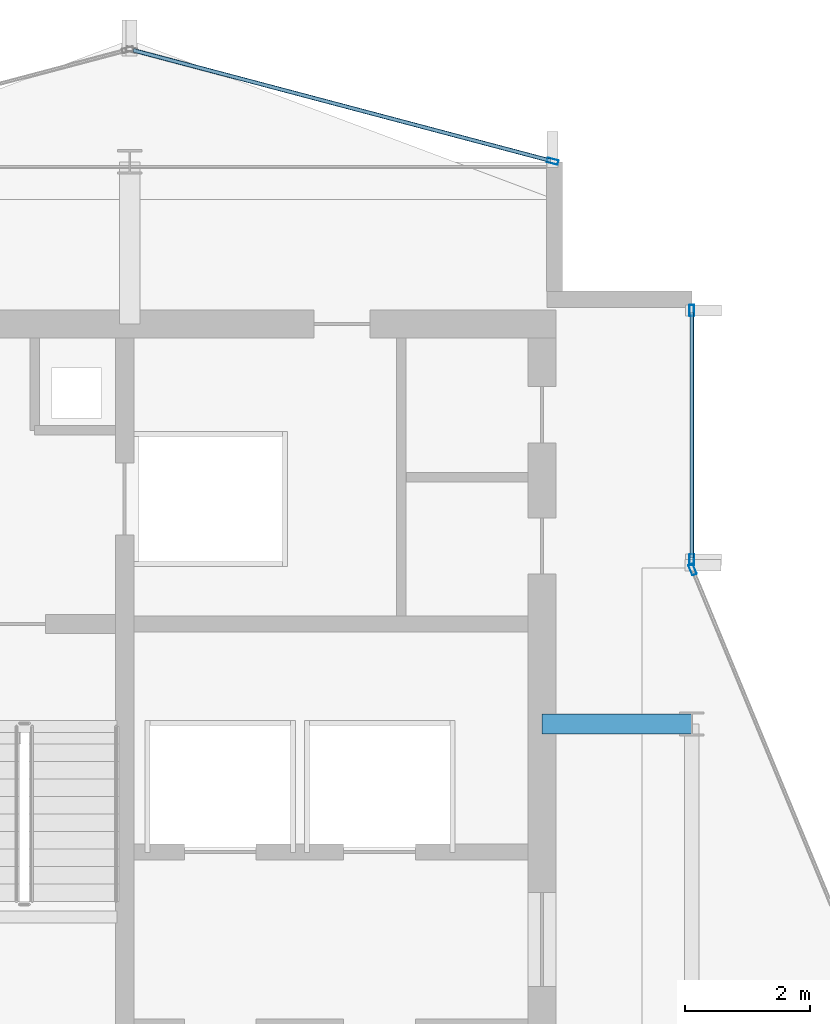
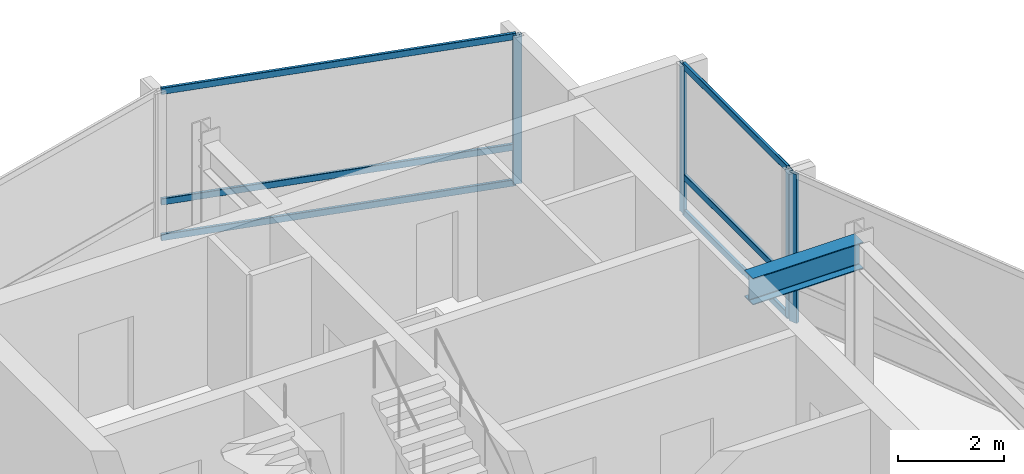
# One storey, part 12 of 19: 10 members, 1 beam, 3 elements without a shape of their own.
"""IFC4 building model written with IfcOpenShell, lengths in metres."""

import ifcopenshell
import ifcopenshell.guid

model = None  # the IFC model being written
_history = None  # IfcOwnerHistory: only IFC2X3 demands one
_inside = {}  # id of a spatial element -> (the spatial element, [elements in it])
_under = {}  # id of a project, library or spatial element -> (it, [spatial elements below it])
_declared = {}  # id of a project -> (the project, [libraries it declares])
_typed = {}  # id of a type object -> (the type object, [elements of that type])
_made_of = {}  # id of a material, layer set ... -> (it, [elements and type objects made of it])


def new_model(schema):
    """Start an empty IFC model of exactly this schema.

    Asked for "IFC4X3", IfcOpenShell would pick the latest addendum, in which some entities
    have other attributes; the version numbers below select the first issue.
    IFC2X3 requires an IfcOwnerHistory on every rooted entity: one is made here for all.
    """
    global model, _history
    if schema == "IFC4X3":
        model = ifcopenshell.file(schema_version=(4, 3, 0, 0))
    else:
        model = ifcopenshell.file(schema=schema)
    _inside.clear()
    _under.clear()
    _declared.clear()
    _typed.clear()
    _made_of.clear()
    _history = None
    if model.schema == "IFC2X3":
        org = make("IfcOrganization", Name="unknown")
        user = make(
            "IfcPersonAndOrganization",
            ThePerson=make("IfcPerson", FamilyName="unknown"),
            TheOrganization=org,
        )
        app = make(
            "IfcApplication",
            ApplicationDeveloper=org,
            Version="unknown",
            ApplicationFullName="unknown",
            ApplicationIdentifier="unknown",
        )
        _history = make(
            "IfcOwnerHistory",
            OwningUser=user,
            OwningApplication=app,
            ChangeAction="ADDED",
            CreationDate=0,
        )
    return model


def make(cls, **values):
    """One entity of the class cls with the attributes given. An attribute that is None is left unset."""
    return model.create_entity(
        cls, **{name: value for name, value in values.items() if value is not None}
    )


def rooted(cls, **values):
    """An entity with a GlobalId (a new one), such as an element, a storey or a relation."""
    return make(cls, GlobalId=ifcopenshell.guid.new(), OwnerHistory=_history, **values)


def si_unit(unit_type, name, prefix=None):
    """IfcSIUnit, for example si_unit("LENGTHUNIT", "METRE", prefix="MILLI")."""
    return make("IfcSIUnit", UnitType=unit_type, Prefix=prefix, Name=name)


def assignment(units):
    """IfcUnitAssignment: the units of a project."""
    return None if units is None else make("IfcUnitAssignment", Units=units)


def point(xyz):
    """IfcCartesianPoint."""
    return None if xyz is None else make("IfcCartesianPoint", Coordinates=xyz)


def direction(xyz):
    """IfcDirection."""
    return None if xyz is None else make("IfcDirection", DirectionRatios=xyz)


def frame(location, z_axis=None, x_axis=None):
    """IfcAxis2Placement3D, a coordinate frame: its origin and axes. An axis left out is left unset."""
    return make(
        "IfcAxis2Placement3D",
        Location=point(location),
        Axis=direction(z_axis),
        RefDirection=direction(x_axis),
    )


def frame_2d(location, x_axis=None):
    """IfcAxis2Placement2D, a coordinate frame in the plane: its origin and x axis."""
    return make(
        "IfcAxis2Placement2D", Location=point(location), RefDirection=direction(x_axis)
    )


def origin():
    """The frame at (0, 0, 0) with its axes left unset."""
    return frame((0.0, 0.0, 0.0))


def origin_2d():
    """The frame at (0, 0) in the plane with its x axis left unset."""
    return frame_2d((0.0, 0.0))


def place(relative_to, where):
    """IfcLocalPlacement: puts the frame where relative to a parent placement (None: the world)."""
    return make(
        "IfcLocalPlacement", PlacementRelTo=relative_to, RelativePlacement=where
    )


def context(
    kind, dimensions, precision=None, world=None, true_north=None, identifier=None
):
    """IfcGeometricRepresentationContext, for example the 3D "Model" context."""
    return make(
        "IfcGeometricRepresentationContext",
        ContextIdentifier=identifier,
        ContextType=kind,
        CoordinateSpaceDimension=dimensions,
        Precision=precision,
        WorldCoordinateSystem=world,
        TrueNorth=true_north,
    )


def subcontext(parent, identifier, kind, view, scale=None):
    """IfcGeometricRepresentationSubContext, for example "Body" below "Model"."""
    return make(
        "IfcGeometricRepresentationSubContext",
        ContextIdentifier=identifier,
        ContextType=kind,
        ParentContext=parent,
        TargetScale=scale,
        TargetView=view,
    )


def project(units=None, contexts=None):
    """IfcProject with its units and contexts."""
    return rooted(
        "IfcProject",
        Name="project",
        RepresentationContexts=contexts,
        UnitsInContext=assignment(units),
    )


def spatial(cls, under=None, at=None, **own):
    """A site, building, storey or space (cls), placed at a placement, below another one or the project."""
    s = rooted(cls, ObjectPlacement=at, **own)
    if under is not None:
        _under.setdefault(under.id(), (under, []))[1].append(s)
    return s


def profile(cls, at=None, kind="AREA", **sizes):
    """A parametric profile (cls). Its sizes go by their IFC names, for example OverallWidth=200.0."""
    return make(cls, ProfileType=kind, Position=at, **sizes)


def hollow_rectangle(**sizes):
    """IfcRectangleHollowProfileDef."""
    return profile("IfcRectangleHollowProfileDef", **sizes)


def i_section(**sizes):
    """IfcIShapeProfileDef."""
    return profile("IfcIShapeProfileDef", **sizes)


def extrude(swept, where, along, depth):
    """IfcExtrudedAreaSolid: the profile swept, set in the frame where, extruded along a direction by depth."""
    return make(
        "IfcExtrudedAreaSolid",
        SweptArea=swept,
        Position=where,
        ExtrudedDirection=direction(along),
        Depth=depth,
    )


def shape(context_of_items, identifier, shape_type, items):
    """IfcShapeRepresentation: the items that make up one representation, for example the "Body"."""
    return make(
        "IfcShapeRepresentation",
        ContextOfItems=context_of_items,
        RepresentationIdentifier=identifier,
        RepresentationType=shape_type,
        Items=items,
    )


def material(Name=None, Category=None):
    """IfcMaterial."""
    return make("IfcMaterial", Name=Name, Category=Category)


def layer(
    of_material, thickness, ventilated=None, Name=None, Category=None, Priority=None
):
    """IfcMaterialLayer: one layer of a wall or slab, of a material (None: an air gap)."""
    return make(
        "IfcMaterialLayer",
        Material=of_material,
        LayerThickness=thickness,
        IsVentilated=ventilated,
        Name=Name,
        Category=Category,
        Priority=Priority,
    )


def layer_set(layers, Name=None):
    """IfcMaterialLayerSet."""
    return make("IfcMaterialLayerSet", MaterialLayers=layers, LayerSetName=Name)


def material_profile(
    of_material, cross_section, Name=None, Category=None, Priority=None
):
    """IfcMaterialProfile: a cross section and its material."""
    return make(
        "IfcMaterialProfile",
        Name=Name,
        Material=of_material,
        Profile=cross_section,
        Priority=Priority,
        Category=Category,
    )


def profile_set(profiles, Name=None, composite=None):
    """IfcMaterialProfileSet."""
    return make(
        "IfcMaterialProfileSet",
        Name=Name,
        MaterialProfiles=profiles,
        CompositeProfile=composite,
    )


def made_of(thing, what):
    """Note that an element or type object is made of a material, layer set ...; save() writes the relation."""
    if what is not None:
        _made_of.setdefault(what.id(), (what, []))[1].append(thing)
    return thing


def type_object(cls, material=None, **own):
    """A type object (cls), such as IfcWallType, which elements share."""
    return made_of(rooted(cls, **own), material)


def element(
    cls,
    number,
    at=None,
    inside=None,
    cuts=None,
    type_object=None,
    material=None,
    context=None,
    identifier="Body",
    shape_type=None,
    held_by="IfcProductDefinitionShape",
    body=None,
    shapes=None,
    **own,
):
    """One element of the class cls, such as IfcWall. Its Tag is "e" and its number.

    at: its placement. inside: the storey or other place that contains it. cuts: it is an
    opening in that element (IfcRelVoidsElement). A single representation is given by context,
    identifier, shape_type and body (its items); several are given by shapes. held_by: the class
    of the entity that holds the representations. save() writes the other relations.
    """
    e = rooted(cls, Tag="e%d" % number, ObjectPlacement=at, **own)
    if body is not None:
        shapes = [shape(context, identifier, shape_type, body)]
    if shapes is not None:
        e.Representation = make(held_by, Representations=shapes)
    if inside is not None:
        _inside.setdefault(inside.id(), (inside, []))[1].append(e)
    if cuts is not None:
        rooted(
            "IfcRelVoidsElement", RelatingBuildingElement=cuts, RelatedOpeningElement=e
        )
    if type_object is not None:
        _typed.setdefault(type_object.id(), (type_object, []))[1].append(e)
    return made_of(e, material)


def aggregate(whole, parts):
    """IfcRelAggregates: a whole, such as a stair, and the parts it consists of."""
    return rooted("IfcRelAggregates", RelatingObject=whole, RelatedObjects=parts)


def save(model, path):
    """Write the relations noted so far, then the file.

    IfcRelAggregates (storeys below a building ...), IfcRelContainedInSpatialStructure (elements
    in a storey), IfcRelDefinesByType, IfcRelAssociatesMaterial and IfcRelDeclares: one each for
    every whole, place, type object, material and project.
    """
    for whole, parts in _under.values():
        aggregate(whole, parts)
    for where, things in _inside.values():
        rooted(
            "IfcRelContainedInSpatialStructure",
            RelatedElements=things,
            RelatingStructure=where,
        )
    for kind, things in _typed.values():
        rooted("IfcRelDefinesByType", RelatedObjects=things, RelatingType=kind)
    for what, things in _made_of.values():
        rooted("IfcRelAssociatesMaterial", RelatedObjects=things, RelatingMaterial=what)
    for by, libraries in _declared.values():
        rooted("IfcRelDeclares", RelatingContext=by, RelatedDefinitions=libraries)
    model.write(path)


model = new_model("IFC4")

# Units and contexts
model_context = context("Model", 3, precision=1e-05, world=origin(), true_north=direction((0.0, 1.0)))
body_context = subcontext(model_context, "Body", "Model", "MODEL_VIEW")
ifc_project = project(units=[si_unit("LENGTHUNIT", "METRE"), si_unit("AREAUNIT", "SQUARE_METRE"), si_unit("VOLUMEUNIT", "CUBIC_METRE"), si_unit("PLANEANGLEUNIT", "RADIAN"), si_unit("MASSUNIT", "GRAM", prefix="KILO")], contexts=[model_context])

# Site, building, storey
site_placement = place(None, origin())
site = spatial("IfcSite", under=ifc_project, at=site_placement, CompositionType="ELEMENT")
building_placement = place(site_placement, origin())
building = spatial("IfcBuilding", under=site, at=building_placement, Name="Solvaryn Broadcast Tower", CompositionType="ELEMENT")
storey_placement = place(building_placement, frame((0.0, 0.0, 263.0)))
storey = spatial("IfcBuildingStorey", under=building, at=storey_placement, Name="L66", CompositionType="ELEMENT", Elevation=263.0)

# Beam
ifc_material_1 = material(Name="Steel ASTM A992 Grade 50", Category="steel")
ifc_material_profile_1 = material_profile(ifc_material_1, i_section(OverallWidth=0.323974609375, OverallDepth=0.611083984375, WebThickness=0.0126953125, FlangeThickness=0.01904296875, FilletRadius=0.014892578125, at=origin_2d()))
ifc_profile_set_1 = profile_set([ifc_material_profile_1], Name="Steel ASTM A992 Grade 50")
beam_type = type_object("IfcBeamType", Name="BM-B1-W24X104", PredefinedType="BEAM", material=ifc_profile_set_1)
beam_placement = place(storey_placement, frame((24.60009765625, 36.0, 3.114501953125), z_axis=(1.0, 0.0, 0.0), x_axis=(0.0, 1.0, 0.0)))
element("IfcBeam", 1, at=beam_placement, inside=storey, type_object=beam_type, Name="L66 Core Tie Beam CTW2", PredefinedType="BEAM", context=body_context, shape_type="SweptSolid", body=[
    extrude(i_section(OverallWidth=0.323974609375, OverallDepth=0.611083984375, WebThickness=0.0126953125, FlangeThickness=0.01904296875, FilletRadius=0.014892578125, at=origin_2d()), origin(), (0.0, 0.0, 1.0), 2.39990234375),
])

# Curtain wall, members
ifc_material_2 = material(Name="Aluminium and Terracotta Unitised Curtain Wall", Category="masonry")
ifc_layer = layer(ifc_material_2, 0.199951171875)
ifc_layer_set = layer_set([ifc_layer], Name="CW-SYS2-LOWMID")
curtain_wall_type = type_object("IfcCurtainWallType", Name="CW-SYS2-LOWMID", PredefinedType="NOTDEFINED", material=ifc_layer_set)
curtain_wall_1_placement = place(storey_placement, origin())
curtain_wall_1 = element("IfcCurtainWall", 2, at=curtain_wall_1_placement, inside=storey, type_object=curtain_wall_type, Name="L66 Curtain Wall IV", PredefinedType="NOTDEFINED")
ifc_material_3 = material(Name="Anodised Aluminium 6063-T6", Category="aluminium")
ifc_material_profile_2 = material_profile(ifc_material_3, hollow_rectangle(XDim=0.074951171875, YDim=0.179931640625, WallThickness=0.00390625, InnerFilletRadius=0.00390625, OuterFilletRadius=0.008056640625, at=origin_2d()))
ifc_profile_set_2 = profile_set([ifc_material_profile_2], Name="Anodised Aluminium 6063-T6")
member_type_1 = type_object("IfcMemberType", Name="CW-MUL-180", PredefinedType="MULLION", material=ifc_profile_set_2)
member_1_placement = place(storey_placement, frame((27.0, 42.6201171875, 0.0), z_axis=(0.0, 0.0, 1.0), x_axis=(1.0, 0.0, 0.0)))
member_1 = element("IfcMember", 3, at=member_1_placement, type_object=member_type_1, Name="CWS2 mullion 1", PredefinedType="MULLION", context=body_context, shape_type="SweptSolid", body=[
    extrude(hollow_rectangle(XDim=0.074951171875, YDim=0.179931640625, WallThickness=0.00390625, InnerFilletRadius=0.00390625, OuterFilletRadius=0.008056640625, at=origin_2d()), origin(), (0.0, 0.0, 1.0), 3.419921875),
])
member_2_placement = place(storey_placement, frame((27.0, 38.6298828125, 0.0), z_axis=(0.0, 0.0, 1.0), x_axis=(1.0, 0.0, 0.0)))
member_2 = element("IfcMember", 4, at=member_2_placement, type_object=member_type_1, Name="CWS2 mullion 2", PredefinedType="MULLION", context=body_context, shape_type="SweptSolid", body=[
    extrude(hollow_rectangle(XDim=0.074951171875, YDim=0.179931640625, WallThickness=0.00390625, InnerFilletRadius=0.00390625, OuterFilletRadius=0.008056640625, at=origin_2d()), origin(), (0.0, 0.0, 1.0), 3.419921875),
])

# Curtain wall, member
curtain_wall_2_placement = place(storey_placement, origin())
curtain_wall_2 = element("IfcCurtainWall", 5, at=curtain_wall_2_placement, inside=storey, type_object=curtain_wall_type, Name="L66 Curtain Wall CN2", PredefinedType="NOTDEFINED")
member_3_placement = place(storey_placement, frame((27.011474609375, 38.47216796875, 0.0), z_axis=(0.0, 0.0, 1.0), x_axis=(-0.923894983957, -0.382646127145, 0.0)))
member_3 = element("IfcMember", 6, at=member_3_placement, type_object=member_type_1, Name="CWS2 mullion 2", PredefinedType="MULLION", context=body_context, shape_type="SweptSolid", body=[
    extrude(hollow_rectangle(XDim=0.074951171875, YDim=0.179931640625, WallThickness=0.00390625, InnerFilletRadius=0.00390625, OuterFilletRadius=0.008056640625, at=origin_2d()), origin(), (0.0, 0.0, 1.0), 3.419921875),
])
aggregate(curtain_wall_2, [member_3])

curtain_wall_3_placement = place(storey_placement, origin())
curtain_wall_3 = element("IfcCurtainWall", 7, at=curtain_wall_3_placement, inside=storey, type_object=curtain_wall_type, Name="L66 Curtain Wall NT1", PredefinedType="NOTDEFINED")
member_4_placement = place(storey_placement, frame((24.77099609375, 45.007568359375, 0.0), z_axis=(0.0, 0.0, 1.0), x_axis=(-0.25589256031, -0.966705227863, 0.0)))
member_4 = element("IfcMember", 8, at=member_4_placement, type_object=member_type_1, Name="CWS2 mullion 1", PredefinedType="MULLION", context=body_context, shape_type="SweptSolid", body=[
    extrude(hollow_rectangle(XDim=0.074951171875, YDim=0.179931640625, WallThickness=0.00390625, InnerFilletRadius=0.00390625, OuterFilletRadius=0.008056640625, at=origin_2d()), origin(), (0.0, 0.0, 1.0), 3.419921875),
])

# Member
ifc_material_4 = material(Name="Anodised Aluminium 6063-T6", Category="aluminium")
ifc_material_profile_3 = material_profile(ifc_material_4, hollow_rectangle(XDim=0.06494140625, YDim=0.14990234375, WallThickness=0.00390625, InnerFilletRadius=0.00390625, OuterFilletRadius=0.008056640625, at=origin_2d()))
ifc_profile_set_3 = profile_set([ifc_material_profile_3], Name="Anodised Aluminium 6063-T6")
member_type_2 = type_object("IfcMemberType", Name="CW-TRN-150", PredefinedType="USERDEFINED", material=ifc_profile_set_3)
member_5_placement = place(storey_placement, frame((27.0, 42.590087890625, 0.030029296875), z_axis=(0.0, -1.0, 0.0), x_axis=(1.0, 0.0, 0.0)))
member_5 = element("IfcMember", 9, at=member_5_placement, type_object=member_type_2, Name="CWS2 transom 1.1", ObjectType="TRANSOM", PredefinedType="USERDEFINED", context=body_context, shape_type="SweptSolid", body=[
    extrude(hollow_rectangle(XDim=0.06494140625, YDim=0.14990234375, WallThickness=0.00390625, InnerFilletRadius=0.00390625, OuterFilletRadius=0.008056640625, at=origin_2d()), origin(), (0.0, 0.0, 1.0), 3.93017578125),
])

member_6_placement = place(storey_placement, frame((27.0, 42.590087890625, 0.85009765625), z_axis=(0.0, -1.0, 0.0), x_axis=(1.0, 0.0, 0.0)))
member_6 = element("IfcMember", 10, at=member_6_placement, type_object=member_type_2, Name="CWS2 transom 1.2", ObjectType="TRANSOM", PredefinedType="USERDEFINED", context=body_context, shape_type="SweptSolid", body=[
    extrude(hollow_rectangle(XDim=0.06494140625, YDim=0.14990234375, WallThickness=0.00390625, InnerFilletRadius=0.00390625, OuterFilletRadius=0.008056640625, at=origin_2d()), origin(), (0.0, 0.0, 1.0), 3.93017578125),
])

member_7_placement = place(storey_placement, frame((27.0, 42.590087890625, 3.389892578125), z_axis=(0.0, -1.0, 0.0), x_axis=(1.0, 0.0, 0.0)))
member_7 = element("IfcMember", 11, at=member_7_placement, type_object=member_type_2, Name="CWS2 transom 1.3", ObjectType="TRANSOM", PredefinedType="USERDEFINED", context=body_context, shape_type="SweptSolid", body=[
    extrude(hollow_rectangle(XDim=0.06494140625, YDim=0.14990234375, WallThickness=0.00390625, InnerFilletRadius=0.00390625, OuterFilletRadius=0.008056640625, at=origin_2d()), origin(), (0.0, 0.0, 1.0), 3.93017578125),
])

aggregate(curtain_wall_1, [member_1, member_2, member_5, member_6, member_7])

member_8_placement = place(storey_placement, frame((24.741943359375, 45.015380859375, 0.030029296875), z_axis=(-0.966703943301, 0.255897413051, 0.0), x_axis=(-0.255897413051, -0.966703943301, 0.0)))
member_8 = element("IfcMember", 12, at=member_8_placement, type_object=member_type_2, Name="CWS2 transom 1.1", ObjectType="TRANSOM", PredefinedType="USERDEFINED", context=body_context, shape_type="SweptSolid", body=[
    extrude(hollow_rectangle(XDim=0.06494140625, YDim=0.14990234375, WallThickness=0.00390625, InnerFilletRadius=0.00390625, OuterFilletRadius=0.008056640625, at=origin_2d()), origin(), (0.0, 0.0, 1.0), 6.9140625),
])

member_9_placement = place(storey_placement, frame((24.741943359375, 45.015380859375, 0.85009765625), z_axis=(-0.966703943301, 0.255897413051, 0.0), x_axis=(-0.255897413051, -0.966703943301, 0.0)))
member_9 = element("IfcMember", 13, at=member_9_placement, type_object=member_type_2, Name="CWS2 transom 1.2", ObjectType="TRANSOM", PredefinedType="USERDEFINED", context=body_context, shape_type="SweptSolid", body=[
    extrude(hollow_rectangle(XDim=0.06494140625, YDim=0.14990234375, WallThickness=0.00390625, InnerFilletRadius=0.00390625, OuterFilletRadius=0.008056640625, at=origin_2d()), origin(), (0.0, 0.0, 1.0), 6.9140625),
])

member_10_placement = place(storey_placement, frame((24.741943359375, 45.015380859375, 3.389892578125), z_axis=(-0.966703943301, 0.255897413051, 0.0), x_axis=(-0.255897413051, -0.966703943301, 0.0)))
member_10 = element("IfcMember", 14, at=member_10_placement, type_object=member_type_2, Name="CWS2 transom 1.3", ObjectType="TRANSOM", PredefinedType="USERDEFINED", context=body_context, shape_type="SweptSolid", body=[
    extrude(hollow_rectangle(XDim=0.06494140625, YDim=0.14990234375, WallThickness=0.00390625, InnerFilletRadius=0.00390625, OuterFilletRadius=0.008056640625, at=origin_2d()), origin(), (0.0, 0.0, 1.0), 6.9140625),
])

aggregate(curtain_wall_3, [member_4, member_8, member_9, member_10])

save(model, "model.ifc")
